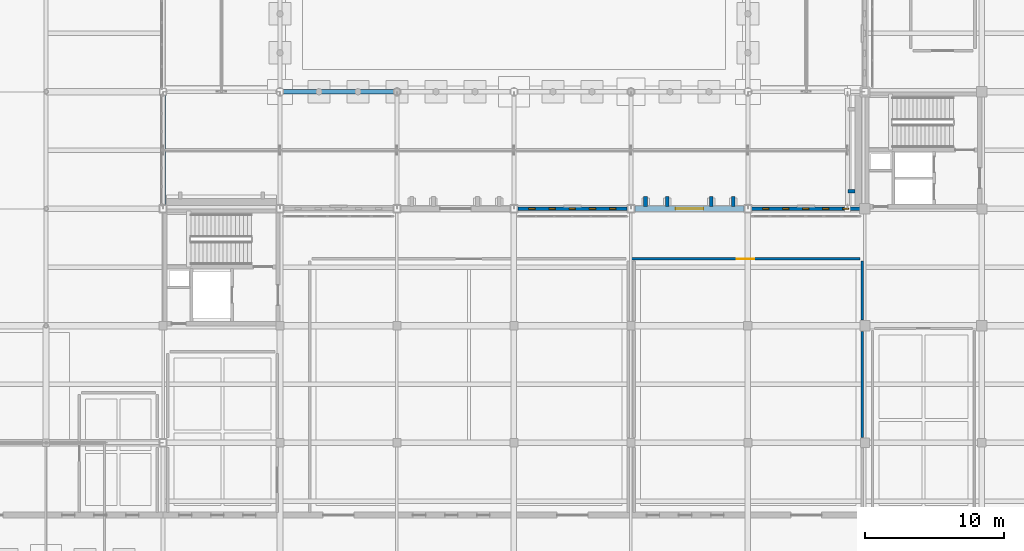
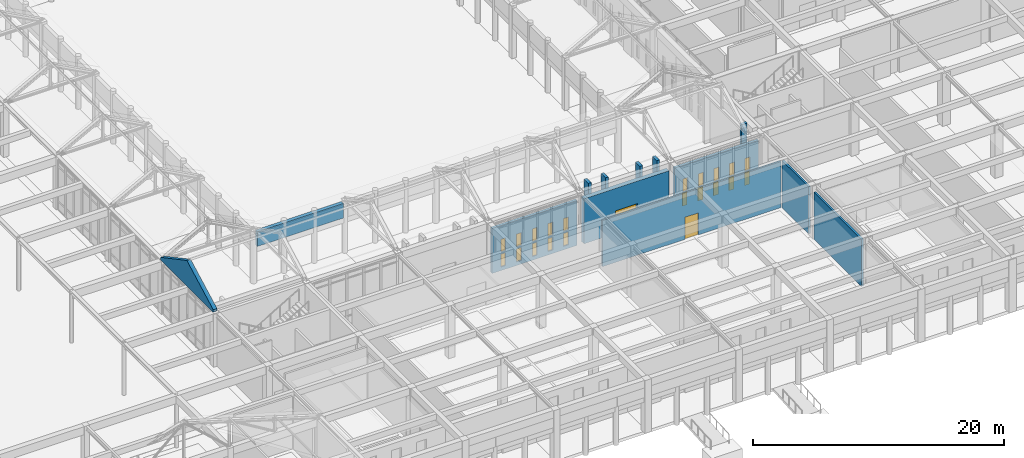
# One storey, part 112 of 143: 20 windows, 13 walls, 2 doors, 22 openings.
"""IFC4 building model written with IfcOpenShell, lengths in metres."""

from ifc_helpers import new_model, si_unit, direction, frame, frame_2d, origin, place, context, subcontext, project, spatial, polyline, rectangle, outline, extrude, material, layer, layer_set, type_object, element, fill, save


model = new_model("IFC4")

# Units and contexts
model_context = context("Model", 3, precision=1e-05, world=origin(), true_north=direction((0.0, 1.0)))
body_context = subcontext(model_context, "Body", "Model", "MODEL_VIEW")
ifc_project = project(units=[si_unit("LENGTHUNIT", "METRE"), si_unit("AREAUNIT", "SQUARE_METRE"), si_unit("VOLUMEUNIT", "CUBIC_METRE"), si_unit("PLANEANGLEUNIT", "RADIAN"), si_unit("MASSUNIT", "GRAM", prefix="KILO")], contexts=[model_context])

# Site, building, storey
site_placement = place(None, origin())
site = spatial("IfcSite", under=ifc_project, at=site_placement, CompositionType="ELEMENT")
building_placement = place(site_placement, origin())
building = spatial("IfcBuilding", under=site, at=building_placement, Name="Kveldsbrygga Polytechnic", CompositionType="ELEMENT")
storey_placement = place(building_placement, origin())
storey = spatial("IfcBuildingStorey", under=building, at=storey_placement, Name="L00", CompositionType="ELEMENT", Elevation=0.0)

# Wall
ifc_material_1 = material(Name="Fired clay brick masonry M10", Category="masonry")
ifc_layer_1 = layer(ifc_material_1, 0.320068359375)
ifc_layer_set_1 = layer_set([ifc_layer_1], Name="Fired clay brick masonry M10")
wall_type_1 = type_object("IfcWallType", Name="EW-ARC-320", PredefinedType="SOLIDWALL", material=ifc_layer_set_1)
wall_1_placement = place(storey_placement, frame((84.260009765625, 33.60009765625, 3.455078125), z_axis=(0.0, 0.0, 1.0), x_axis=(1.0, 0.0, 0.0)))
element("IfcWall", 1, at=wall_1_placement, inside=storey, type_object=wall_type_1, Name="Cloister Arcade Brick Arch Header ARC-HDR-08", PredefinedType="SOLIDWALL", context=body_context, shape_type="SweptSolid", body=[
    extrude(rectangle(XDim=7.929931640625, YDim=0.320068359375, at=frame_2d((3.96484375, 0.0))), origin(), (0.0, 0.0, 1.0), 1.4248046875),
])

# Wall, opening, door
ifc_layer_2 = layer(ifc_material_1, 0.419921875)
ifc_layer_set_2 = layer_set([ifc_layer_2], Name="Fired clay brick masonry M10")
wall_type_2 = type_object("IfcWallType", Name="EW-BRICK-420", PredefinedType="SOLIDWALL", material=ifc_layer_set_2)
wall_2_placement = place(storey_placement, frame((109.485107421875, 25.199951171875, 0.0), z_axis=(0.0, 0.0, 1.0), x_axis=(1.0, 0.0, 0.0)))
wall_2 = element("IfcWall", 2, at=wall_2_placement, inside=storey, type_object=wall_type_2, Name="Exterior Brick Wall EW-L00-X-13-03", PredefinedType="SOLIDWALL", context=body_context, shape_type="SweptSolid", body=[
    extrude(rectangle(XDim=7.83984375, YDim=0.419921875, at=frame_2d((3.919921875, 0.0))), origin(), (0.0, 0.0, 1.0), 4.389892578125),
])
opening_1_placement = place(wall_2_placement, frame((2.919921875, 0.0, 0.0)))
opening_1 = element("IfcOpeningElement", 3, at=opening_1_placement, cuts=wall_2, Name="Opening ED-12", PredefinedType="OPENING", context=body_context, shape_type="SweptSolid", body=[
    extrude(rectangle(XDim=2.0, YDim=2.199951171875, at=frame_2d((1.0, 1.10009765625))), frame((0.0, 0.219970703125, 0.0), z_axis=(0.0, -1.0, 0.0), x_axis=(1.0, 0.0, 0.0)), (0.0, 0.0, 1.0), 0.43994140625),
])
ifc_material_2 = material(Name="Anodised aluminium AW-6060", Category="aluminium")
door_type_1 = type_object("IfcDoorType", Name="ED-EXIT-200x220", OperationType="DOUBLE_DOOR_SINGLE_SWING", PredefinedType="DOOR", material=ifc_material_2)
door_1_placement = place(opening_1_placement, origin())
door_1 = element("IfcDoor", 4, at=door_1_placement, inside=storey, type_object=door_type_1, Name="Pedestrian Exit Door ED-12", OperationType="DOUBLE_DOOR_SINGLE_SWING", OverallHeight=2.199951171875, OverallWidth=2.0, PredefinedType="DOOR", context=body_context, shape_type="SweptSolid", body=[
    extrude(rectangle(XDim=2.0, YDim=2.199951171875, at=frame_2d((1.0, 1.10009765625))), frame((0.0, 0.02490234375, 0.0), z_axis=(0.0, -1.0, 0.0), x_axis=(1.0, 0.0, 0.0)), (0.0, 0.0, 1.0), 0.050048828125),
])
fill(opening_1, door_1)

# Walls
ifc_layer_3 = layer(ifc_material_1, 0.260009765625)
ifc_layer_set_3 = layer_set([ifc_layer_3], Name="Fired clay brick masonry M10")
wall_type_3 = type_object("IfcWallType", Name="EW-BUTT-260", PredefinedType="SOLIDWALL", material=ifc_layer_set_3)
for number, where, z_axis, x_axis, name in (
    (5, (110.25, 25.364990234375, -0.25), (0.0, 0.0, 1.0), (0.0, 1.0, 0.0), "Gothic Brick Buttress Pier BUTT-L00-X-13-03-1"),
    (6, (111.820068359375, 25.364990234375, -0.25), (0.0, 0.0, 1.0), (0.0, 1.0, 0.0), "Gothic Brick Buttress Pier BUTT-L00-X-13-03-2"),
    (7, (114.97998046875, 25.364990234375, -0.25), (0.0, 0.0, 1.0), (0.0, 1.0, 0.0), "Gothic Brick Buttress Pier BUTT-L00-X-13-03-4"),
    (8, (116.550048828125, 25.364990234375, -0.25), (0.0, 0.0, 1.0), (0.0, 1.0, 0.0), "Gothic Brick Buttress Pier BUTT-L00-X-13-03-5"),
):
    element("IfcWall", number, at=place(storey_placement, frame(where, z_axis=z_axis, x_axis=x_axis)), inside=storey, type_object=wall_type_3, Name=name, PredefinedType="SOLIDWALL", context=body_context, shape_type="SweptSolid", body=[
        extrude(rectangle(XDim=0.699951171875, YDim=0.260009765625, at=frame_2d((0.35009765625, 0.0))), origin(), (0.0, 0.0, 1.0), 5.68994140625),
    ])
wall_3_placement = place(storey_placement, frame((125.300048828125, 26.449951171875, -0.25), z_axis=(0.0, 0.0, 1.0), x_axis=(-1.0, 0.0, 0.0)))
element("IfcWall", 9, at=wall_3_placement, inside=storey, type_object=wall_type_3, Name="Gothic Brick Buttress Pier BCLAS-L00-Y-15-03-1", PredefinedType="SOLIDWALL", context=body_context, shape_type="SweptSolid", body=[
    extrude(rectangle(XDim=0.52001953125, YDim=0.260009765625, at=frame_2d((0.260009765625, 0.0))), origin(), (0.0, 0.0, 1.0), 5.68994140625),
])
ifc_layer_4 = layer(ifc_material_1, 0.35009765625)
ifc_layer_set_4 = layer_set([ifc_layer_4], Name="Fired clay brick masonry M10")
wall_type_4 = type_object("IfcWallType", Name="EW-GABLE-350", PredefinedType="SOLIDWALL", material=ifc_layer_set_4)
wall_4_placement = place(storey_placement, frame((75.60009765625, 25.199951171875, 5.14501953125), z_axis=(0.0, 0.0, 1.0), x_axis=(0.0, 1.0, 0.0)))
element("IfcWall", 10, at=wall_4_placement, inside=storey, type_object=wall_type_4, Name="Brick Gable Tympanum GBL-ARC-ES-A", PredefinedType="SOLIDWALL", context=body_context, shape_type="SweptSolid", body=[
    extrude(outline(polyline([(0.0, 0.0), (8.400146484375, 0.0), (8.39990234375, 0.25), (4.199951171875, 2.48876953125), (0.0, 0.25), (0.0, 0.0)])), frame((0.0, 0.175048828125, 0.0), z_axis=(0.0, -1.0, 0.0), x_axis=(1.0, 0.0, 0.0)), (0.0, 0.0, 1.0), 0.35009765625),
])

# Wall, openings, windows
ifc_layer_5 = layer(ifc_material_1, 0.239990234375)
ifc_layer_set_5 = layer_set([ifc_layer_5], Name="Fired clay brick masonry M10")
wall_type_5 = type_object("IfcWallType", Name="EW-SCRN-240", PredefinedType="SOLIDWALL", material=ifc_layer_set_5)
wall_5_placement = place(storey_placement, frame((101.074951171875, 25.199951171875, 0.0), z_axis=(0.0, 0.0, 1.0), x_axis=(1.0, 0.0, 0.0)))
wall_5 = element("IfcWall", 11, at=wall_5_placement, inside=storey, type_object=wall_type_5, Name="Perforated Brick Corridor Screen Wall SCRW-L00-X-12-03", PredefinedType="SOLIDWALL", context=body_context, shape_type="SweptSolid", body=[
    extrude(rectangle(XDim=7.840087890625, YDim=0.239990234375, at=frame_2d((3.919921875, 0.0))), origin(), (0.0, 0.0, 1.0), 4.389892578125),
])
opening_2_placement = place(wall_5_placement, frame((0.803955078125, 0.0, 0.35009765625)))
opening_2 = element("IfcOpeningElement", 12, at=opening_2_placement, cuts=wall_5, Name="Opening W-48", PredefinedType="OPENING", context=body_context, shape_type="SweptSolid", body=[
    extrude(rectangle(XDim=0.43994140625, YDim=1.25, at=frame_2d((0.219970703125, 0.625))), frame((0.0, 0.1298828125, 0.0), z_axis=(0.0, -1.0, 0.0), x_axis=(1.0, 0.0, 0.0)), (0.0, 0.0, 1.0), 0.260009765625),
])
opening_3_placement = place(wall_5_placement, frame((2.251953125, 0.0, 0.35009765625)))
opening_3 = element("IfcOpeningElement", 13, at=opening_3_placement, cuts=wall_5, Name="Opening W-48", PredefinedType="OPENING", context=body_context, shape_type="SweptSolid", body=[
    extrude(rectangle(XDim=0.43994140625, YDim=1.25, at=frame_2d((0.219970703125, 0.625))), frame((0.0, 0.1298828125, 0.0), z_axis=(0.0, -1.0, 0.0), x_axis=(1.0, 0.0, 0.0)), (0.0, 0.0, 1.0), 0.260009765625),
])
opening_4_placement = place(wall_5_placement, frame((3.699951171875, 0.0, 0.35009765625)))
opening_4 = element("IfcOpeningElement", 14, at=opening_4_placement, cuts=wall_5, Name="Opening W-48", PredefinedType="OPENING", context=body_context, shape_type="SweptSolid", body=[
    extrude(rectangle(XDim=0.43994140625, YDim=1.25, at=frame_2d((0.219970703125, 0.625))), frame((0.0, 0.1298828125, 0.0), z_axis=(0.0, -1.0, 0.0), x_axis=(1.0, 0.0, 0.0)), (0.0, 0.0, 1.0), 0.260009765625),
])
opening_5_placement = place(wall_5_placement, frame((5.14794921875, 0.0, 0.35009765625)))
opening_5 = element("IfcOpeningElement", 15, at=opening_5_placement, cuts=wall_5, Name="Opening W-48", PredefinedType="OPENING", context=body_context, shape_type="SweptSolid", body=[
    extrude(rectangle(XDim=0.43994140625, YDim=1.25, at=frame_2d((0.219970703125, 0.625))), frame((0.0, 0.1298828125, 0.0), z_axis=(0.0, -1.0, 0.0), x_axis=(1.0, 0.0, 0.0)), (0.0, 0.0, 1.0), 0.260009765625),
])
opening_6_placement = place(wall_5_placement, frame((6.595947265625, 0.0, 0.35009765625)))
opening_6 = element("IfcOpeningElement", 16, at=opening_6_placement, cuts=wall_5, Name="Opening W-48", PredefinedType="OPENING", context=body_context, shape_type="SweptSolid", body=[
    extrude(rectangle(XDim=0.43994140625, YDim=1.25, at=frame_2d((0.219970703125, 0.625))), frame((0.0, 0.1298828125, 0.0), z_axis=(0.0, -1.0, 0.0), x_axis=(1.0, 0.0, 0.0)), (0.0, 0.0, 1.0), 0.260009765625),
])
opening_7_placement = place(wall_5_placement, frame((0.803955078125, 0.0, 1.800048828125)))
opening_7 = element("IfcOpeningElement", 17, at=opening_7_placement, cuts=wall_5, Name="Opening W-48", PredefinedType="OPENING", context=body_context, shape_type="SweptSolid", body=[
    extrude(rectangle(XDim=0.43994140625, YDim=1.25, at=frame_2d((0.219970703125, 0.625))), frame((0.0, 0.1298828125, 0.0), z_axis=(0.0, -1.0, 0.0), x_axis=(1.0, 0.0, 0.0)), (0.0, 0.0, 1.0), 0.260009765625),
])
opening_8_placement = place(wall_5_placement, frame((2.251953125, 0.0, 1.800048828125)))
opening_8 = element("IfcOpeningElement", 18, at=opening_8_placement, cuts=wall_5, Name="Opening W-48", PredefinedType="OPENING", context=body_context, shape_type="SweptSolid", body=[
    extrude(rectangle(XDim=0.43994140625, YDim=1.25, at=frame_2d((0.219970703125, 0.625))), frame((0.0, 0.1298828125, 0.0), z_axis=(0.0, -1.0, 0.0), x_axis=(1.0, 0.0, 0.0)), (0.0, 0.0, 1.0), 0.260009765625),
])
opening_9_placement = place(wall_5_placement, frame((3.699951171875, 0.0, 1.800048828125)))
opening_9 = element("IfcOpeningElement", 19, at=opening_9_placement, cuts=wall_5, Name="Opening W-48", PredefinedType="OPENING", context=body_context, shape_type="SweptSolid", body=[
    extrude(rectangle(XDim=0.43994140625, YDim=1.25, at=frame_2d((0.219970703125, 0.625))), frame((0.0, 0.1298828125, 0.0), z_axis=(0.0, -1.0, 0.0), x_axis=(1.0, 0.0, 0.0)), (0.0, 0.0, 1.0), 0.260009765625),
])
opening_10_placement = place(wall_5_placement, frame((5.14794921875, 0.0, 1.800048828125)))
opening_10 = element("IfcOpeningElement", 20, at=opening_10_placement, cuts=wall_5, Name="Opening W-48", PredefinedType="OPENING", context=body_context, shape_type="SweptSolid", body=[
    extrude(rectangle(XDim=0.43994140625, YDim=1.25, at=frame_2d((0.219970703125, 0.625))), frame((0.0, 0.1298828125, 0.0), z_axis=(0.0, -1.0, 0.0), x_axis=(1.0, 0.0, 0.0)), (0.0, 0.0, 1.0), 0.260009765625),
])
opening_11_placement = place(wall_5_placement, frame((6.595947265625, 0.0, 1.800048828125)))
opening_11 = element("IfcOpeningElement", 21, at=opening_11_placement, cuts=wall_5, Name="Opening W-48", PredefinedType="OPENING", context=body_context, shape_type="SweptSolid", body=[
    extrude(rectangle(XDim=0.43994140625, YDim=1.25, at=frame_2d((0.219970703125, 0.625))), frame((0.0, 0.1298828125, 0.0), z_axis=(0.0, -1.0, 0.0), x_axis=(1.0, 0.0, 0.0)), (0.0, 0.0, 1.0), 0.260009765625),
])
ifc_material_3 = material(Name="Insulated triple low-E glass", Category="glass")
window_type = type_object("IfcWindowType", Name="WN-SCRN-044x125", PartitioningType="SINGLE_PANEL", PredefinedType="WINDOW", material=ifc_material_3)
window_1_placement = place(opening_2_placement, origin())
window_1 = element("IfcWindow", 22, at=window_1_placement, inside=storey, type_object=window_type, Name="Perforated Screen Aperture L00-X-12-03-1", OverallHeight=1.25, OverallWidth=0.43994140625, PartitioningType="SINGLE_PANEL", PredefinedType="WINDOW", context=body_context, shape_type="SweptSolid", body=[
    extrude(rectangle(XDim=0.43994140625, YDim=1.25, at=frame_2d((0.219970703125, 0.625))), frame((0.0, 0.030029296875, 0.0), z_axis=(0.0, -1.0, 0.0), x_axis=(1.0, 0.0, 0.0)), (0.0, 0.0, 1.0), 0.06005859375),
])
fill(opening_2, window_1)
window_2_placement = place(opening_3_placement, origin())
window_2 = element("IfcWindow", 23, at=window_2_placement, inside=storey, type_object=window_type, Name="Perforated Screen Aperture L00-X-12-03-2", OverallHeight=1.25, OverallWidth=0.43994140625, PartitioningType="SINGLE_PANEL", PredefinedType="WINDOW", context=body_context, shape_type="SweptSolid", body=[
    extrude(rectangle(XDim=0.43994140625, YDim=1.25, at=frame_2d((0.219970703125, 0.625))), frame((0.0, 0.030029296875, 0.0), z_axis=(0.0, -1.0, 0.0), x_axis=(1.0, 0.0, 0.0)), (0.0, 0.0, 1.0), 0.06005859375),
])
fill(opening_3, window_2)
window_3_placement = place(opening_4_placement, origin())
window_3 = element("IfcWindow", 24, at=window_3_placement, inside=storey, type_object=window_type, Name="Perforated Screen Aperture L00-X-12-03-3", OverallHeight=1.25, OverallWidth=0.43994140625, PartitioningType="SINGLE_PANEL", PredefinedType="WINDOW", context=body_context, shape_type="SweptSolid", body=[
    extrude(rectangle(XDim=0.43994140625, YDim=1.25, at=frame_2d((0.219970703125, 0.625))), frame((0.0, 0.030029296875, 0.0), z_axis=(0.0, -1.0, 0.0), x_axis=(1.0, 0.0, 0.0)), (0.0, 0.0, 1.0), 0.06005859375),
])
fill(opening_4, window_3)
window_4_placement = place(opening_5_placement, origin())
window_4 = element("IfcWindow", 25, at=window_4_placement, inside=storey, type_object=window_type, Name="Perforated Screen Aperture L00-X-12-03-4", OverallHeight=1.25, OverallWidth=0.43994140625, PartitioningType="SINGLE_PANEL", PredefinedType="WINDOW", context=body_context, shape_type="SweptSolid", body=[
    extrude(rectangle(XDim=0.43994140625, YDim=1.25, at=frame_2d((0.219970703125, 0.625))), frame((0.0, 0.030029296875, 0.0), z_axis=(0.0, -1.0, 0.0), x_axis=(1.0, 0.0, 0.0)), (0.0, 0.0, 1.0), 0.06005859375),
])
fill(opening_5, window_4)
window_5_placement = place(opening_6_placement, origin())
window_5 = element("IfcWindow", 26, at=window_5_placement, inside=storey, type_object=window_type, Name="Perforated Screen Aperture L00-X-12-03-5", OverallHeight=1.25, OverallWidth=0.43994140625, PartitioningType="SINGLE_PANEL", PredefinedType="WINDOW", context=body_context, shape_type="SweptSolid", body=[
    extrude(rectangle(XDim=0.43994140625, YDim=1.25, at=frame_2d((0.219970703125, 0.625))), frame((0.0, 0.030029296875, 0.0), z_axis=(0.0, -1.0, 0.0), x_axis=(1.0, 0.0, 0.0)), (0.0, 0.0, 1.0), 0.06005859375),
])
fill(opening_6, window_5)
window_6_placement = place(opening_7_placement, origin())
window_6 = element("IfcWindow", 27, at=window_6_placement, inside=storey, type_object=window_type, Name="Perforated Screen Aperture L00-X-12-03-6", OverallHeight=1.25, OverallWidth=0.43994140625, PartitioningType="SINGLE_PANEL", PredefinedType="WINDOW", context=body_context, shape_type="SweptSolid", body=[
    extrude(rectangle(XDim=0.43994140625, YDim=1.25, at=frame_2d((0.219970703125, 0.625))), frame((0.0, 0.030029296875, 0.0), z_axis=(0.0, -1.0, 0.0), x_axis=(1.0, 0.0, 0.0)), (0.0, 0.0, 1.0), 0.06005859375),
])
fill(opening_7, window_6)
window_7_placement = place(opening_8_placement, origin())
window_7 = element("IfcWindow", 28, at=window_7_placement, inside=storey, type_object=window_type, Name="Perforated Screen Aperture L00-X-12-03-7", OverallHeight=1.25, OverallWidth=0.43994140625, PartitioningType="SINGLE_PANEL", PredefinedType="WINDOW", context=body_context, shape_type="SweptSolid", body=[
    extrude(rectangle(XDim=0.43994140625, YDim=1.25, at=frame_2d((0.219970703125, 0.625))), frame((0.0, 0.030029296875, 0.0), z_axis=(0.0, -1.0, 0.0), x_axis=(1.0, 0.0, 0.0)), (0.0, 0.0, 1.0), 0.06005859375),
])
fill(opening_8, window_7)
window_8_placement = place(opening_9_placement, origin())
window_8 = element("IfcWindow", 29, at=window_8_placement, inside=storey, type_object=window_type, Name="Perforated Screen Aperture L00-X-12-03-8", OverallHeight=1.25, OverallWidth=0.43994140625, PartitioningType="SINGLE_PANEL", PredefinedType="WINDOW", context=body_context, shape_type="SweptSolid", body=[
    extrude(rectangle(XDim=0.43994140625, YDim=1.25, at=frame_2d((0.219970703125, 0.625))), frame((0.0, 0.030029296875, 0.0), z_axis=(0.0, -1.0, 0.0), x_axis=(1.0, 0.0, 0.0)), (0.0, 0.0, 1.0), 0.06005859375),
])
fill(opening_9, window_8)
window_9_placement = place(opening_10_placement, origin())
window_9 = element("IfcWindow", 30, at=window_9_placement, inside=storey, type_object=window_type, Name="Perforated Screen Aperture L00-X-12-03-9", OverallHeight=1.25, OverallWidth=0.43994140625, PartitioningType="SINGLE_PANEL", PredefinedType="WINDOW", context=body_context, shape_type="SweptSolid", body=[
    extrude(rectangle(XDim=0.43994140625, YDim=1.25, at=frame_2d((0.219970703125, 0.625))), frame((0.0, 0.030029296875, 0.0), z_axis=(0.0, -1.0, 0.0), x_axis=(1.0, 0.0, 0.0)), (0.0, 0.0, 1.0), 0.06005859375),
])
fill(opening_10, window_9)
window_10_placement = place(opening_11_placement, origin())
window_10 = element("IfcWindow", 31, at=window_10_placement, inside=storey, type_object=window_type, Name="Perforated Screen Aperture L00-X-12-03-10", OverallHeight=1.25, OverallWidth=0.43994140625, PartitioningType="SINGLE_PANEL", PredefinedType="WINDOW", context=body_context, shape_type="SweptSolid", body=[
    extrude(rectangle(XDim=0.43994140625, YDim=1.25, at=frame_2d((0.219970703125, 0.625))), frame((0.0, 0.030029296875, 0.0), z_axis=(0.0, -1.0, 0.0), x_axis=(1.0, 0.0, 0.0)), (0.0, 0.0, 1.0), 0.06005859375),
])
fill(opening_11, window_10)

wall_6_placement = place(storey_placement, frame((117.875, 25.199951171875, 0.0), z_axis=(0.0, 0.0, 1.0), x_axis=(1.0, 0.0, 0.0)))
wall_6 = element("IfcWall", 32, at=wall_6_placement, inside=storey, type_object=wall_type_5, Name="Perforated Brick Corridor Screen Wall SCRW-L00-X-14-03", PredefinedType="SOLIDWALL", context=body_context, shape_type="SweptSolid", body=[
    extrude(rectangle(XDim=7.764892578125, YDim=0.239990234375, at=frame_2d((3.88232421875, 0.0))), origin(), (0.0, 0.0, 1.0), 4.389892578125),
])
opening_12_placement = place(wall_6_placement, frame((0.79638671875, 0.0, 0.35009765625)))
opening_12 = element("IfcOpeningElement", 33, at=opening_12_placement, cuts=wall_6, Name="Opening W-48", PredefinedType="OPENING", context=body_context, shape_type="SweptSolid", body=[
    extrude(rectangle(XDim=0.43994140625, YDim=1.25, at=frame_2d((0.219970703125, 0.625))), frame((0.0, 0.1298828125, 0.0), z_axis=(0.0, -1.0, 0.0), x_axis=(1.0, 0.0, 0.0)), (0.0, 0.0, 1.0), 0.260009765625),
])
opening_13_placement = place(wall_6_placement, frame((2.2294921875, 0.0, 0.35009765625)))
opening_13 = element("IfcOpeningElement", 34, at=opening_13_placement, cuts=wall_6, Name="Opening W-48", PredefinedType="OPENING", context=body_context, shape_type="SweptSolid", body=[
    extrude(rectangle(XDim=0.43994140625, YDim=1.25, at=frame_2d((0.219970703125, 0.625))), frame((0.0, 0.1298828125, 0.0), z_axis=(0.0, -1.0, 0.0), x_axis=(1.0, 0.0, 0.0)), (0.0, 0.0, 1.0), 0.260009765625),
])
opening_14_placement = place(wall_6_placement, frame((3.66259765625, 0.0, 0.35009765625)))
opening_14 = element("IfcOpeningElement", 35, at=opening_14_placement, cuts=wall_6, Name="Opening W-48", PredefinedType="OPENING", context=body_context, shape_type="SweptSolid", body=[
    extrude(rectangle(XDim=0.43994140625, YDim=1.25, at=frame_2d((0.219970703125, 0.625))), frame((0.0, 0.1298828125, 0.0), z_axis=(0.0, -1.0, 0.0), x_axis=(1.0, 0.0, 0.0)), (0.0, 0.0, 1.0), 0.260009765625),
])
opening_15_placement = place(wall_6_placement, frame((5.095458984375, 0.0, 0.35009765625)))
opening_15 = element("IfcOpeningElement", 36, at=opening_15_placement, cuts=wall_6, Name="Opening W-48", PredefinedType="OPENING", context=body_context, shape_type="SweptSolid", body=[
    extrude(rectangle(XDim=0.43994140625, YDim=1.25, at=frame_2d((0.219970703125, 0.625))), frame((0.0, 0.1298828125, 0.0), z_axis=(0.0, -1.0, 0.0), x_axis=(1.0, 0.0, 0.0)), (0.0, 0.0, 1.0), 0.260009765625),
])
opening_16_placement = place(wall_6_placement, frame((6.528564453125, 0.0, 0.35009765625)))
opening_16 = element("IfcOpeningElement", 37, at=opening_16_placement, cuts=wall_6, Name="Opening W-48", PredefinedType="OPENING", context=body_context, shape_type="SweptSolid", body=[
    extrude(rectangle(XDim=0.43994140625, YDim=1.25, at=frame_2d((0.219970703125, 0.625))), frame((0.0, 0.1298828125, 0.0), z_axis=(0.0, -1.0, 0.0), x_axis=(1.0, 0.0, 0.0)), (0.0, 0.0, 1.0), 0.260009765625),
])
opening_17_placement = place(wall_6_placement, frame((0.79638671875, 0.0, 1.800048828125)))
opening_17 = element("IfcOpeningElement", 38, at=opening_17_placement, cuts=wall_6, Name="Opening W-48", PredefinedType="OPENING", context=body_context, shape_type="SweptSolid", body=[
    extrude(rectangle(XDim=0.43994140625, YDim=1.25, at=frame_2d((0.219970703125, 0.625))), frame((0.0, 0.1298828125, 0.0), z_axis=(0.0, -1.0, 0.0), x_axis=(1.0, 0.0, 0.0)), (0.0, 0.0, 1.0), 0.260009765625),
])
opening_18_placement = place(wall_6_placement, frame((2.2294921875, 0.0, 1.800048828125)))
opening_18 = element("IfcOpeningElement", 39, at=opening_18_placement, cuts=wall_6, Name="Opening W-48", PredefinedType="OPENING", context=body_context, shape_type="SweptSolid", body=[
    extrude(rectangle(XDim=0.43994140625, YDim=1.25, at=frame_2d((0.219970703125, 0.625))), frame((0.0, 0.1298828125, 0.0), z_axis=(0.0, -1.0, 0.0), x_axis=(1.0, 0.0, 0.0)), (0.0, 0.0, 1.0), 0.260009765625),
])
opening_19_placement = place(wall_6_placement, frame((3.66259765625, 0.0, 1.800048828125)))
opening_19 = element("IfcOpeningElement", 40, at=opening_19_placement, cuts=wall_6, Name="Opening W-48", PredefinedType="OPENING", context=body_context, shape_type="SweptSolid", body=[
    extrude(rectangle(XDim=0.43994140625, YDim=1.25, at=frame_2d((0.219970703125, 0.625))), frame((0.0, 0.1298828125, 0.0), z_axis=(0.0, -1.0, 0.0), x_axis=(1.0, 0.0, 0.0)), (0.0, 0.0, 1.0), 0.260009765625),
])
opening_20_placement = place(wall_6_placement, frame((5.095458984375, 0.0, 1.800048828125)))
opening_20 = element("IfcOpeningElement", 41, at=opening_20_placement, cuts=wall_6, Name="Opening W-48", PredefinedType="OPENING", context=body_context, shape_type="SweptSolid", body=[
    extrude(rectangle(XDim=0.43994140625, YDim=1.25, at=frame_2d((0.219970703125, 0.625))), frame((0.0, 0.1298828125, 0.0), z_axis=(0.0, -1.0, 0.0), x_axis=(1.0, 0.0, 0.0)), (0.0, 0.0, 1.0), 0.260009765625),
])
opening_21_placement = place(wall_6_placement, frame((6.528564453125, 0.0, 1.800048828125)))
opening_21 = element("IfcOpeningElement", 42, at=opening_21_placement, cuts=wall_6, Name="Opening W-48", PredefinedType="OPENING", context=body_context, shape_type="SweptSolid", body=[
    extrude(rectangle(XDim=0.43994140625, YDim=1.25, at=frame_2d((0.219970703125, 0.625))), frame((0.0, 0.1298828125, 0.0), z_axis=(0.0, -1.0, 0.0), x_axis=(1.0, 0.0, 0.0)), (0.0, 0.0, 1.0), 0.260009765625),
])
window_11_placement = place(opening_12_placement, origin())
window_11 = element("IfcWindow", 43, at=window_11_placement, inside=storey, type_object=window_type, Name="Perforated Screen Aperture L00-X-14-03-1", OverallHeight=1.25, OverallWidth=0.43994140625, PartitioningType="SINGLE_PANEL", PredefinedType="WINDOW", context=body_context, shape_type="SweptSolid", body=[
    extrude(rectangle(XDim=0.43994140625, YDim=1.25, at=frame_2d((0.219970703125, 0.625))), frame((0.0, 0.030029296875, 0.0), z_axis=(0.0, -1.0, 0.0), x_axis=(1.0, 0.0, 0.0)), (0.0, 0.0, 1.0), 0.06005859375),
])
fill(opening_12, window_11)
window_12_placement = place(opening_13_placement, origin())
window_12 = element("IfcWindow", 44, at=window_12_placement, inside=storey, type_object=window_type, Name="Perforated Screen Aperture L00-X-14-03-2", OverallHeight=1.25, OverallWidth=0.43994140625, PartitioningType="SINGLE_PANEL", PredefinedType="WINDOW", context=body_context, shape_type="SweptSolid", body=[
    extrude(rectangle(XDim=0.43994140625, YDim=1.25, at=frame_2d((0.219970703125, 0.625))), frame((0.0, 0.030029296875, 0.0), z_axis=(0.0, -1.0, 0.0), x_axis=(1.0, 0.0, 0.0)), (0.0, 0.0, 1.0), 0.06005859375),
])
fill(opening_13, window_12)
window_13_placement = place(opening_14_placement, origin())
window_13 = element("IfcWindow", 45, at=window_13_placement, inside=storey, type_object=window_type, Name="Perforated Screen Aperture L00-X-14-03-3", OverallHeight=1.25, OverallWidth=0.43994140625, PartitioningType="SINGLE_PANEL", PredefinedType="WINDOW", context=body_context, shape_type="SweptSolid", body=[
    extrude(rectangle(XDim=0.43994140625, YDim=1.25, at=frame_2d((0.219970703125, 0.625))), frame((0.0, 0.030029296875, 0.0), z_axis=(0.0, -1.0, 0.0), x_axis=(1.0, 0.0, 0.0)), (0.0, 0.0, 1.0), 0.06005859375),
])
fill(opening_14, window_13)
window_14_placement = place(opening_15_placement, origin())
window_14 = element("IfcWindow", 46, at=window_14_placement, inside=storey, type_object=window_type, Name="Perforated Screen Aperture L00-X-14-03-4", OverallHeight=1.25, OverallWidth=0.43994140625, PartitioningType="SINGLE_PANEL", PredefinedType="WINDOW", context=body_context, shape_type="SweptSolid", body=[
    extrude(rectangle(XDim=0.43994140625, YDim=1.25, at=frame_2d((0.219970703125, 0.625))), frame((0.0, 0.030029296875, 0.0), z_axis=(0.0, -1.0, 0.0), x_axis=(1.0, 0.0, 0.0)), (0.0, 0.0, 1.0), 0.06005859375),
])
fill(opening_15, window_14)
window_15_placement = place(opening_16_placement, origin())
window_15 = element("IfcWindow", 47, at=window_15_placement, inside=storey, type_object=window_type, Name="Perforated Screen Aperture L00-X-14-03-5", OverallHeight=1.25, OverallWidth=0.43994140625, PartitioningType="SINGLE_PANEL", PredefinedType="WINDOW", context=body_context, shape_type="SweptSolid", body=[
    extrude(rectangle(XDim=0.43994140625, YDim=1.25, at=frame_2d((0.219970703125, 0.625))), frame((0.0, 0.030029296875, 0.0), z_axis=(0.0, -1.0, 0.0), x_axis=(1.0, 0.0, 0.0)), (0.0, 0.0, 1.0), 0.06005859375),
])
fill(opening_16, window_15)
window_16_placement = place(opening_17_placement, origin())
window_16 = element("IfcWindow", 48, at=window_16_placement, inside=storey, type_object=window_type, Name="Perforated Screen Aperture L00-X-14-03-6", OverallHeight=1.25, OverallWidth=0.43994140625, PartitioningType="SINGLE_PANEL", PredefinedType="WINDOW", context=body_context, shape_type="SweptSolid", body=[
    extrude(rectangle(XDim=0.43994140625, YDim=1.25, at=frame_2d((0.219970703125, 0.625))), frame((0.0, 0.030029296875, 0.0), z_axis=(0.0, -1.0, 0.0), x_axis=(1.0, 0.0, 0.0)), (0.0, 0.0, 1.0), 0.06005859375),
])
fill(opening_17, window_16)
window_17_placement = place(opening_18_placement, origin())
window_17 = element("IfcWindow", 49, at=window_17_placement, inside=storey, type_object=window_type, Name="Perforated Screen Aperture L00-X-14-03-7", OverallHeight=1.25, OverallWidth=0.43994140625, PartitioningType="SINGLE_PANEL", PredefinedType="WINDOW", context=body_context, shape_type="SweptSolid", body=[
    extrude(rectangle(XDim=0.43994140625, YDim=1.25, at=frame_2d((0.219970703125, 0.625))), frame((0.0, 0.030029296875, 0.0), z_axis=(0.0, -1.0, 0.0), x_axis=(1.0, 0.0, 0.0)), (0.0, 0.0, 1.0), 0.06005859375),
])
fill(opening_18, window_17)
window_18_placement = place(opening_19_placement, origin())
window_18 = element("IfcWindow", 50, at=window_18_placement, inside=storey, type_object=window_type, Name="Perforated Screen Aperture L00-X-14-03-8", OverallHeight=1.25, OverallWidth=0.43994140625, PartitioningType="SINGLE_PANEL", PredefinedType="WINDOW", context=body_context, shape_type="SweptSolid", body=[
    extrude(rectangle(XDim=0.43994140625, YDim=1.25, at=frame_2d((0.219970703125, 0.625))), frame((0.0, 0.030029296875, 0.0), z_axis=(0.0, -1.0, 0.0), x_axis=(1.0, 0.0, 0.0)), (0.0, 0.0, 1.0), 0.06005859375),
])
fill(opening_19, window_18)
window_19_placement = place(opening_20_placement, origin())
window_19 = element("IfcWindow", 51, at=window_19_placement, inside=storey, type_object=window_type, Name="Perforated Screen Aperture L00-X-14-03-9", OverallHeight=1.25, OverallWidth=0.43994140625, PartitioningType="SINGLE_PANEL", PredefinedType="WINDOW", context=body_context, shape_type="SweptSolid", body=[
    extrude(rectangle(XDim=0.43994140625, YDim=1.25, at=frame_2d((0.219970703125, 0.625))), frame((0.0, 0.030029296875, 0.0), z_axis=(0.0, -1.0, 0.0), x_axis=(1.0, 0.0, 0.0)), (0.0, 0.0, 1.0), 0.06005859375),
])
fill(opening_20, window_19)
window_20_placement = place(opening_21_placement, origin())
window_20 = element("IfcWindow", 52, at=window_20_placement, inside=storey, type_object=window_type, Name="Perforated Screen Aperture L00-X-14-03-10", OverallHeight=1.25, OverallWidth=0.43994140625, PartitioningType="SINGLE_PANEL", PredefinedType="WINDOW", context=body_context, shape_type="SweptSolid", body=[
    extrude(rectangle(XDim=0.43994140625, YDim=1.25, at=frame_2d((0.219970703125, 0.625))), frame((0.0, 0.030029296875, 0.0), z_axis=(0.0, -1.0, 0.0), x_axis=(1.0, 0.0, 0.0)), (0.0, 0.0, 1.0), 0.06005859375),
])
fill(opening_21, window_20)

# Wall, opening, door
ifc_layer_6 = layer(ifc_material_1, 0.18994140625)
ifc_layer_set_6 = layer_set([ifc_layer_6], Name="Fired clay brick masonry M10")
wall_type_6 = type_object("IfcWallType", Name="IW-KIT-190", PredefinedType="PARTITIONING", material=ifc_layer_set_6)
wall_7_placement = place(storey_placement, frame((109.179931640625, 21.60009765625, 0.0), z_axis=(0.0, 0.0, 1.0), x_axis=(1.0, 0.0, 0.0)))
wall_7 = element("IfcWall", 53, at=wall_7_placement, inside=storey, type_object=wall_type_6, Name="Partition Wall IW-SP-L00-KITCH-N1", PredefinedType="PARTITIONING", context=body_context, shape_type="SweptSolid", body=[
    extrude(rectangle(XDim=16.469970703125, YDim=0.18994140625, at=frame_2d((8.23486328125, 0.0))), origin(), (0.0, 0.0, 1.0), 4.489990234375),
])
opening_22_placement = place(wall_7_placement, frame((7.610107421875, 0.0, 0.0)))
opening_22 = element("IfcOpeningElement", 54, at=opening_22_placement, cuts=wall_7, Name="Opening ID-L00-033", PredefinedType="OPENING", context=body_context, shape_type="SweptSolid", body=[
    extrude(rectangle(XDim=1.25, YDim=2.14990234375, at=frame_2d((0.625, 1.074951171875))), frame((0.0, 0.10498046875, 0.0), z_axis=(0.0, -1.0, 0.0), x_axis=(1.0, 0.0, 0.0)), (0.0, 0.0, 1.0), 0.2099609375),
])
ifc_material_4 = material(Name="Brushed stainless steel EN 1.4401", Category="steel")
door_type_2 = type_object("IfcDoorType", Name="ID-KIT-125x215", OperationType="NOTDEFINED", PredefinedType="DOOR", material=ifc_material_4)
door_2_placement = place(opening_22_placement, origin())
door_2 = element("IfcDoor", 55, at=door_2_placement, inside=storey, type_object=door_type_2, Name="Interior Door ID-L00-033", OperationType="SINGLE_SWING_LEFT", OverallHeight=2.14990234375, OverallWidth=1.25, PredefinedType="DOOR", context=body_context, shape_type="SweptSolid", body=[
    extrude(rectangle(XDim=1.25, YDim=2.14990234375, at=frame_2d((0.625, 1.074951171875))), frame((0.0, 0.02490234375, 0.0), z_axis=(0.0, -1.0, 0.0), x_axis=(1.0, 0.0, 0.0)), (0.0, 0.0, 1.0), 0.050048828125),
])
fill(opening_22, door_2)

# Walls
wall_8_placement = place(storey_placement, frame((125.800048828125, 8.784912109375, 0.0), z_axis=(0.0, 0.0, 1.0), x_axis=(0.0, 1.0, 0.0)))
element("IfcWall", 56, at=wall_8_placement, inside=storey, type_object=wall_type_6, Name="Partition Wall IW-SP-L00-KITCH-E2", PredefinedType="PARTITIONING", context=body_context, shape_type="SweptSolid", body=[
    extrude(rectangle(XDim=7.594970703125, YDim=0.18994140625, at=frame_2d((3.79736328125, 0.0))), origin(), (0.0, 0.0, 1.0), 4.580078125),
])
wall_9_placement = place(storey_placement, frame((125.800048828125, 17.219970703125, 0.0), z_axis=(0.0, 0.0, 1.0), x_axis=(0.0, 1.0, 0.0)))
element("IfcWall", 57, at=wall_9_placement, inside=storey, type_object=wall_type_6, Name="Partition Wall IW-SP-L00-KITCH-E3", PredefinedType="PARTITIONING", context=body_context, shape_type="SweptSolid", body=[
    extrude(rectangle(XDim=4.22998046875, YDim=0.18994140625, at=frame_2d((2.114990234375, 0.0))), origin(), (0.0, 0.0, 1.0), 4.590087890625),
])

save(model, "model.ifc")
